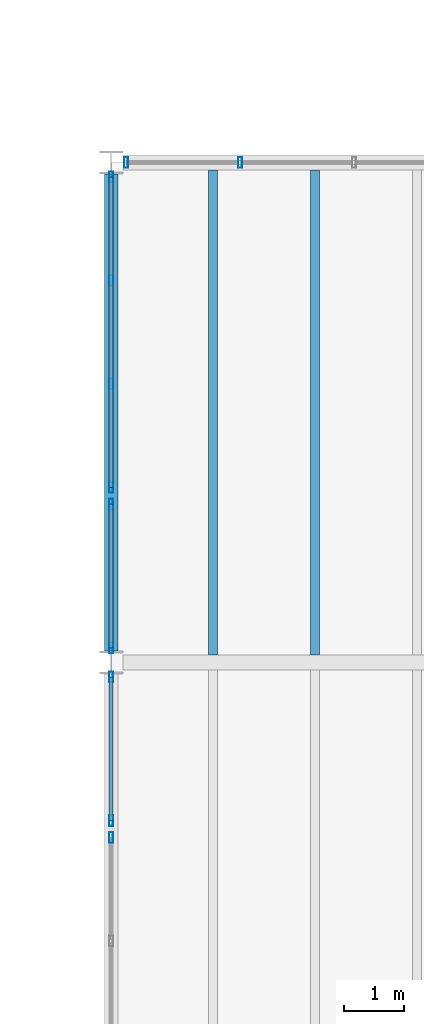
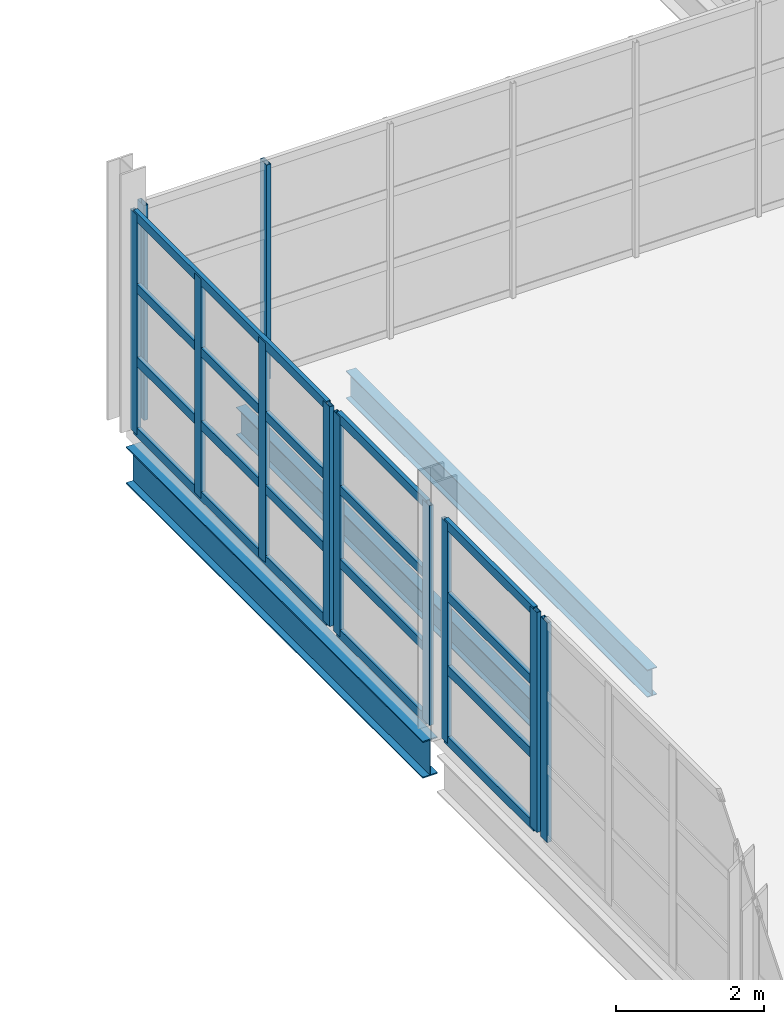
# One storey, part 62 of 114: 23 members, 3 beams, 5 elements without a shape of their own.
"""IFC4 building model written with IfcOpenShell, lengths in metres."""

from ifc_helpers import new_model, si_unit, direction, frame, origin, origin_2d, place, context, subcontext, project, spatial, hollow_rectangle, i_section, extrude, material, material_profile, profile_set, type_object, element, aggregate, save


model = new_model("IFC4")

# Units and contexts
model_context = context("Model", 3, precision=1e-05, world=origin(), true_north=direction((0.0, 1.0)))
body_context = subcontext(model_context, "Body", "Model", "MODEL_VIEW")
ifc_project = project(units=[si_unit("LENGTHUNIT", "METRE"), si_unit("AREAUNIT", "SQUARE_METRE"), si_unit("VOLUMEUNIT", "CUBIC_METRE"), si_unit("PLANEANGLEUNIT", "RADIAN"), si_unit("MASSUNIT", "GRAM", prefix="KILO")], contexts=[model_context])

# Site, building, storey
site_placement = place(None, origin())
site = spatial("IfcSite", under=ifc_project, at=site_placement, CompositionType="ELEMENT")
building_placement = place(site_placement, origin())
building = spatial("IfcBuilding", under=site, at=building_placement, Name="Kelmvaro Bay Concert Hall", CompositionType="ELEMENT")
storey_placement = place(building_placement, frame((0.0, 0.0, 4.800048828125)))
storey = spatial("IfcBuildingStorey", under=building, at=storey_placement, Name="L01", CompositionType="ELEMENT", Elevation=4.800048828125)

# Curtain wall, member
ifc_material_1 = material(Name="Anodised Aluminium and Low-E Insulated Glazing", Category="aluminium")
curtain_wall_type = type_object("IfcCurtainWallType", Name="Mezzanine Concourse Curtain Wall 4100", PredefinedType="USERDEFINED", material=ifc_material_1)
curtain_wall_1_placement = place(storey_placement, origin())
curtain_wall_1 = element("IfcCurtainWall", 1, at=curtain_wall_1_placement, inside=storey, type_object=curtain_wall_type, Name="Unitised Curtain Wall CW-L01-117", ObjectType="UNITISED GLAZING", PredefinedType="USERDEFINED")
ifc_material_2 = material(Name="Anodised Extruded Aluminium 6063-T6", Category="aluminium")
ifc_material_profile_1 = material_profile(ifc_material_2, hollow_rectangle(XDim=0.06494140625, YDim=0.179931640625, WallThickness=0.00390625, at=origin_2d()), Name="ALU-MUL-180X65")
ifc_profile_set_1 = profile_set([ifc_material_profile_1], Name="Anodised Extruded Aluminium 6063-T6")
member_type_1 = type_object("IfcMemberType", Name="Curtain Mullion ALU 180x65", PredefinedType="MULLION", material=ifc_profile_set_1)
member_1_placement = place(storey_placement, frame((108.0, 62.4599609375, 0.0), z_axis=(0.0, 0.0, 1.0), x_axis=(1.0, 0.0, 0.0)))
member_1 = element("IfcMember", 2, at=member_1_placement, type_object=member_type_1, Name="CW-L01-117 Mullion 04", PredefinedType="MULLION", context=body_context, shape_type="SweptSolid", body=[
    extrude(hollow_rectangle(XDim=0.06494140625, YDim=0.179931640625, WallThickness=0.00390625, at=origin_2d()), origin(), (0.0, 0.0, 1.0), 3.6279296875),
])
aggregate(curtain_wall_1, [member_1])

# Curtain wall, members
curtain_wall_2_placement = place(storey_placement, origin())
curtain_wall_2 = element("IfcCurtainWall", 3, at=curtain_wall_2_placement, inside=storey, type_object=curtain_wall_type, Name="Unitised Curtain Wall CW-L01-119", ObjectType="UNITISED GLAZING", PredefinedType="USERDEFINED")
member_2_placement = place(storey_placement, frame((108.0, 62.739990234375, 0.0), z_axis=(0.0, 0.0, 1.0), x_axis=(1.0, 0.0, 0.0)))
member_2 = element("IfcMember", 4, at=member_2_placement, type_object=member_type_1, Name="CW-L01-119 Mullion 01", PredefinedType="MULLION", context=body_context, shape_type="SweptSolid", body=[
    extrude(hollow_rectangle(XDim=0.06494140625, YDim=0.179931640625, WallThickness=0.00390625, at=origin_2d()), origin(), (0.0, 0.0, 1.0), 3.6279296875),
])
member_3_placement = place(storey_placement, frame((108.0, 65.154541015625, 0.0), z_axis=(0.0, 0.0, 1.0), x_axis=(1.0, 0.0, 0.0)))
member_3 = element("IfcMember", 5, at=member_3_placement, type_object=member_type_1, Name="CW-L01-119 Mullion 02", PredefinedType="MULLION", context=body_context, shape_type="SweptSolid", body=[
    extrude(hollow_rectangle(XDim=0.06494140625, YDim=0.179931640625, WallThickness=0.00390625, at=origin_2d()), origin(), (0.0, 0.0, 1.0), 3.6279296875),
])

curtain_wall_3_placement = place(storey_placement, origin())
curtain_wall_3 = element("IfcCurtainWall", 6, at=curtain_wall_3_placement, inside=storey, type_object=curtain_wall_type, Name="Unitised Curtain Wall CW-L01-120", ObjectType="UNITISED GLAZING", PredefinedType="USERDEFINED")
member_4_placement = place(storey_placement, frame((108.0, 65.6455078125, 0.0), z_axis=(0.0, 0.0, 1.0), x_axis=(1.0, 0.0, 0.0)))
member_4 = element("IfcMember", 7, at=member_4_placement, type_object=member_type_1, Name="CW-L01-120 Mullion 01", PredefinedType="MULLION", context=body_context, shape_type="SweptSolid", body=[
    extrude(hollow_rectangle(XDim=0.06494140625, YDim=0.179931640625, WallThickness=0.00390625, at=origin_2d()), origin(), (0.0, 0.0, 1.0), 3.6279296875),
])
member_5_placement = place(storey_placement, frame((108.0, 68.06005859375, 0.0), z_axis=(0.0, 0.0, 1.0), x_axis=(1.0, 0.0, 0.0)))
member_5 = element("IfcMember", 8, at=member_5_placement, type_object=member_type_1, Name="CW-L01-120 Mullion 02", PredefinedType="MULLION", context=body_context, shape_type="SweptSolid", body=[
    extrude(hollow_rectangle(XDim=0.06494140625, YDim=0.179931640625, WallThickness=0.00390625, at=origin_2d()), origin(), (0.0, 0.0, 1.0), 3.6279296875),
])

curtain_wall_4_placement = place(storey_placement, origin())
curtain_wall_4 = element("IfcCurtainWall", 9, at=curtain_wall_4_placement, inside=storey, type_object=curtain_wall_type, Name="Unitised Curtain Wall CW-L01-123", ObjectType="UNITISED GLAZING", PredefinedType="USERDEFINED")
member_6_placement = place(storey_placement, frame((108.0, 68.340087890625, 0.0), z_axis=(0.0, 0.0, 1.0), x_axis=(1.0, 0.0, 0.0)))
member_6 = element("IfcMember", 10, at=member_6_placement, type_object=member_type_1, Name="CW-L01-123 Mullion 01", PredefinedType="MULLION", context=body_context, shape_type="SweptSolid", body=[
    extrude(hollow_rectangle(XDim=0.06494140625, YDim=0.179931640625, WallThickness=0.00390625, at=origin_2d()), origin(), (0.0, 0.0, 1.0), 3.6279296875),
])
member_7_placement = place(storey_placement, frame((108.0, 70.078125, 0.0), z_axis=(0.0, 0.0, 1.0), x_axis=(1.0, 0.0, 0.0)))
member_7 = element("IfcMember", 11, at=member_7_placement, type_object=member_type_1, Name="CW-L01-123 Mullion 02", PredefinedType="MULLION", context=body_context, shape_type="SweptSolid", body=[
    extrude(hollow_rectangle(XDim=0.06494140625, YDim=0.179931640625, WallThickness=0.00390625, at=origin_2d()), origin(), (0.0, 0.0, 1.0), 3.6279296875),
])
member_8_placement = place(storey_placement, frame((108.0, 71.81640625, 0.0), z_axis=(0.0, 0.0, 1.0), x_axis=(1.0, 0.0, 0.0)))
member_8 = element("IfcMember", 12, at=member_8_placement, type_object=member_type_1, Name="CW-L01-123 Mullion 03", PredefinedType="MULLION", context=body_context, shape_type="SweptSolid", body=[
    extrude(hollow_rectangle(XDim=0.06494140625, YDim=0.179931640625, WallThickness=0.00390625, at=origin_2d()), origin(), (0.0, 0.0, 1.0), 3.6279296875),
])
member_9_placement = place(storey_placement, frame((108.0, 73.554443359375, 0.0), z_axis=(0.0, 0.0, 1.0), x_axis=(1.0, 0.0, 0.0)))
member_9 = element("IfcMember", 13, at=member_9_placement, type_object=member_type_1, Name="CW-L01-123 Mullion 04", PredefinedType="MULLION", context=body_context, shape_type="SweptSolid", body=[
    extrude(hollow_rectangle(XDim=0.06494140625, YDim=0.179931640625, WallThickness=0.00390625, at=origin_2d()), origin(), (0.0, 0.0, 1.0), 3.6279296875),
])

curtain_wall_5_placement = place(storey_placement, origin())
curtain_wall_5 = element("IfcCurtainWall", 14, at=curtain_wall_5_placement, inside=storey, type_object=curtain_wall_type, Name="Unitised Curtain Wall CW-L01-125", ObjectType="UNITISED GLAZING", PredefinedType="USERDEFINED")
member_10_placement = place(storey_placement, frame((108.2529296875, 73.800048828125, 0.0), z_axis=(0.0, 0.0, 1.0), x_axis=(1.0, 0.0, 0.0)))
member_10 = element("IfcMember", 15, at=member_10_placement, type_object=member_type_1, Name="CW-L01-125 Mullion 01", PredefinedType="MULLION", context=body_context, shape_type="SweptSolid", body=[
    extrude(hollow_rectangle(XDim=0.06494140625, YDim=0.179931640625, WallThickness=0.00390625, at=origin_2d()), origin(), (0.0, 0.0, 1.0), 3.546875),
])
member_11_placement = place(storey_placement, frame((110.168212890625, 73.800048828125, 0.0), z_axis=(0.0, 0.0, 1.0), x_axis=(1.0, 0.0, 0.0)))
member_11 = element("IfcMember", 16, at=member_11_placement, type_object=member_type_1, Name="CW-L01-125 Mullion 02", PredefinedType="MULLION", context=body_context, shape_type="SweptSolid", body=[
    extrude(hollow_rectangle(XDim=0.06494140625, YDim=0.179931640625, WallThickness=0.00390625, at=origin_2d()), origin(), (0.0, 0.0, 1.0), 3.546875),
])
aggregate(curtain_wall_5, [member_10, member_11])

# Member
ifc_material_3 = material(Name="Anodised Extruded Aluminium 6063-T6", Category="aluminium")
ifc_material_profile_2 = material_profile(ifc_material_3, hollow_rectangle(XDim=0.06494140625, YDim=0.14990234375, WallThickness=0.00390625, at=origin_2d()), Name="ALU-TRN-150X65")
ifc_profile_set_2 = profile_set([ifc_material_profile_2], Name="Anodised Extruded Aluminium 6063-T6")
member_type_2 = type_object("IfcMemberType", Name="Curtain Transom ALU 150x65", PredefinedType="USERDEFINED", material=ifc_profile_set_2)
member_12_placement = place(storey_placement, frame((108.0, 62.739990234375, 0.0400390625), z_axis=(0.0, 1.0, 0.0), x_axis=(-1.0, 0.0, 0.0)))
member_12 = element("IfcMember", 17, at=member_12_placement, type_object=member_type_2, Name="CW-L01-119 Transom 01", ObjectType="TRANSOM", PredefinedType="USERDEFINED", context=body_context, shape_type="SweptSolid", body=[
    extrude(hollow_rectangle(XDim=0.06494140625, YDim=0.14990234375, WallThickness=0.00390625, at=origin_2d()), origin(), (0.0, 0.0, 1.0), 2.41455078125),
])

member_13_placement = place(storey_placement, frame((108.0, 62.739990234375, 1.209228515625), z_axis=(0.0, 1.0, 0.0), x_axis=(-1.0, 0.0, 0.0)))
member_13 = element("IfcMember", 18, at=member_13_placement, type_object=member_type_2, Name="CW-L01-119 Transom 02", ObjectType="TRANSOM", PredefinedType="USERDEFINED", context=body_context, shape_type="SweptSolid", body=[
    extrude(hollow_rectangle(XDim=0.06494140625, YDim=0.14990234375, WallThickness=0.00390625, at=origin_2d()), origin(), (0.0, 0.0, 1.0), 2.41455078125),
])

member_14_placement = place(storey_placement, frame((108.0, 62.739990234375, 2.418701171875), z_axis=(0.0, 1.0, 0.0), x_axis=(-1.0, 0.0, 0.0)))
member_14 = element("IfcMember", 19, at=member_14_placement, type_object=member_type_2, Name="CW-L01-119 Transom 03", ObjectType="TRANSOM", PredefinedType="USERDEFINED", context=body_context, shape_type="SweptSolid", body=[
    extrude(hollow_rectangle(XDim=0.06494140625, YDim=0.14990234375, WallThickness=0.00390625, at=origin_2d()), origin(), (0.0, 0.0, 1.0), 2.41455078125),
])

member_15_placement = place(storey_placement, frame((108.0, 62.739990234375, 3.587890625), z_axis=(0.0, 1.0, 0.0), x_axis=(-1.0, 0.0, 0.0)))
member_15 = element("IfcMember", 20, at=member_15_placement, type_object=member_type_2, Name="CW-L01-119 Transom 04", ObjectType="TRANSOM", PredefinedType="USERDEFINED", context=body_context, shape_type="SweptSolid", body=[
    extrude(hollow_rectangle(XDim=0.06494140625, YDim=0.14990234375, WallThickness=0.00390625, at=origin_2d()), origin(), (0.0, 0.0, 1.0), 2.41455078125),
])

aggregate(curtain_wall_2, [member_2, member_3, member_12, member_13, member_14, member_15])

member_16_placement = place(storey_placement, frame((108.0, 65.6455078125, 0.0400390625), z_axis=(0.0, 1.0, 0.0), x_axis=(-1.0, 0.0, 0.0)))
member_16 = element("IfcMember", 21, at=member_16_placement, type_object=member_type_2, Name="CW-L01-120 Transom 01", ObjectType="TRANSOM", PredefinedType="USERDEFINED", context=body_context, shape_type="SweptSolid", body=[
    extrude(hollow_rectangle(XDim=0.06494140625, YDim=0.14990234375, WallThickness=0.00390625, at=origin_2d()), origin(), (0.0, 0.0, 1.0), 2.41455078125),
])

member_17_placement = place(storey_placement, frame((108.0, 65.6455078125, 1.209228515625), z_axis=(0.0, 1.0, 0.0), x_axis=(-1.0, 0.0, 0.0)))
member_17 = element("IfcMember", 22, at=member_17_placement, type_object=member_type_2, Name="CW-L01-120 Transom 02", ObjectType="TRANSOM", PredefinedType="USERDEFINED", context=body_context, shape_type="SweptSolid", body=[
    extrude(hollow_rectangle(XDim=0.06494140625, YDim=0.14990234375, WallThickness=0.00390625, at=origin_2d()), origin(), (0.0, 0.0, 1.0), 2.41455078125),
])

member_18_placement = place(storey_placement, frame((108.0, 65.6455078125, 2.418701171875), z_axis=(0.0, 1.0, 0.0), x_axis=(-1.0, 0.0, 0.0)))
member_18 = element("IfcMember", 23, at=member_18_placement, type_object=member_type_2, Name="CW-L01-120 Transom 03", ObjectType="TRANSOM", PredefinedType="USERDEFINED", context=body_context, shape_type="SweptSolid", body=[
    extrude(hollow_rectangle(XDim=0.06494140625, YDim=0.14990234375, WallThickness=0.00390625, at=origin_2d()), origin(), (0.0, 0.0, 1.0), 2.41455078125),
])

member_19_placement = place(storey_placement, frame((108.0, 65.6455078125, 3.587890625), z_axis=(0.0, 1.0, 0.0), x_axis=(-1.0, 0.0, 0.0)))
member_19 = element("IfcMember", 24, at=member_19_placement, type_object=member_type_2, Name="CW-L01-120 Transom 04", ObjectType="TRANSOM", PredefinedType="USERDEFINED", context=body_context, shape_type="SweptSolid", body=[
    extrude(hollow_rectangle(XDim=0.06494140625, YDim=0.14990234375, WallThickness=0.00390625, at=origin_2d()), origin(), (0.0, 0.0, 1.0), 2.41455078125),
])

aggregate(curtain_wall_3, [member_4, member_5, member_16, member_17, member_18, member_19])

member_20_placement = place(storey_placement, frame((108.0, 68.340087890625, 0.0400390625), z_axis=(0.0, 1.0, 0.0), x_axis=(-1.0, 0.0, 0.0)))
member_20 = element("IfcMember", 25, at=member_20_placement, type_object=member_type_2, Name="CW-L01-123 Transom 01", ObjectType="TRANSOM", PredefinedType="USERDEFINED", context=body_context, shape_type="SweptSolid", body=[
    extrude(hollow_rectangle(XDim=0.06494140625, YDim=0.14990234375, WallThickness=0.00390625, at=origin_2d()), origin(), (0.0, 0.0, 1.0), 5.21435546875),
])

member_21_placement = place(storey_placement, frame((108.0, 68.340087890625, 1.209228515625), z_axis=(0.0, 1.0, 0.0), x_axis=(-1.0, 0.0, 0.0)))
member_21 = element("IfcMember", 26, at=member_21_placement, type_object=member_type_2, Name="CW-L01-123 Transom 02", ObjectType="TRANSOM", PredefinedType="USERDEFINED", context=body_context, shape_type="SweptSolid", body=[
    extrude(hollow_rectangle(XDim=0.06494140625, YDim=0.14990234375, WallThickness=0.00390625, at=origin_2d()), origin(), (0.0, 0.0, 1.0), 5.21435546875),
])

member_22_placement = place(storey_placement, frame((108.0, 68.340087890625, 2.418701171875), z_axis=(0.0, 1.0, 0.0), x_axis=(-1.0, 0.0, 0.0)))
member_22 = element("IfcMember", 27, at=member_22_placement, type_object=member_type_2, Name="CW-L01-123 Transom 03", ObjectType="TRANSOM", PredefinedType="USERDEFINED", context=body_context, shape_type="SweptSolid", body=[
    extrude(hollow_rectangle(XDim=0.06494140625, YDim=0.14990234375, WallThickness=0.00390625, at=origin_2d()), origin(), (0.0, 0.0, 1.0), 5.21435546875),
])

member_23_placement = place(storey_placement, frame((108.0, 68.340087890625, 3.587890625), z_axis=(0.0, 1.0, 0.0), x_axis=(-1.0, 0.0, 0.0)))
member_23 = element("IfcMember", 28, at=member_23_placement, type_object=member_type_2, Name="CW-L01-123 Transom 04", ObjectType="TRANSOM", PredefinedType="USERDEFINED", context=body_context, shape_type="SweptSolid", body=[
    extrude(hollow_rectangle(XDim=0.06494140625, YDim=0.14990234375, WallThickness=0.00390625, at=origin_2d()), origin(), (0.0, 0.0, 1.0), 5.21435546875),
])

aggregate(curtain_wall_4, [member_6, member_7, member_8, member_9, member_20, member_21, member_22, member_23])

# Beams
ifc_material_4 = material(Name="Steel ASTM A992 Grade 50", Category="steel")
ifc_material_profile_3 = material_profile(ifc_material_4, i_section(OverallWidth=0.152099609375, OverallDepth=0.455078125, WebThickness=0.008056640625, FlangeThickness=0.01318359375, at=origin_2d()), Name="W18X40")
ifc_profile_set_3 = profile_set([ifc_material_profile_3], Name="Steel ASTM A992 Grade 50")
beam_type_1 = type_object("IfcBeamType", Name="Foyer Concourse Floor Joist W18x40", PredefinedType="JOIST", material=ifc_profile_set_3)
for number, where, z_axis, x_axis, name in (
    (29, (109.71435546875, 65.528076171875, -0.4775390625), (0.0, 1.0, 0.0), (-1.0, 0.0, 0.0), "L01 Floor Joist JST-L01-0574"),
    (30, (111.4287109375, 65.528076171875, -0.4775390625), (0.0, 1.0, 0.0), (-1.0, 0.0, 0.0), "L01 Floor Joist JST-L01-0575"),
):
    element("IfcBeam", number, at=place(storey_placement, frame(where, z_axis=z_axis, x_axis=x_axis)), inside=storey, type_object=beam_type_1, Name=name, PredefinedType="JOIST", context=body_context, shape_type="SweptSolid", body=[
        extrude(i_section(OverallWidth=0.152099609375, OverallDepth=0.455078125, WebThickness=0.008056640625, FlangeThickness=0.01318359375, at=origin_2d()), origin(), (0.0, 0.0, 1.0), 8.14404296875),
    ])
ifc_material_5 = material(Name="Steel ASTM A992 Grade 50", Category="steel")
ifc_material_profile_4 = material_profile(ifc_material_5, i_section(OverallWidth=0.22900390625, OverallDepth=0.612060546875, WebThickness=0.011962890625, FlangeThickness=0.01953125, at=origin_2d()), Name="W24X84")
ifc_profile_set_4 = profile_set([ifc_material_profile_4], Name="Steel ASTM A992 Grade 50")
beam_type_2 = type_object("IfcBeamType", Name="Terrace Edge Girder W24x84", PredefinedType="BEAM", material=ifc_profile_set_4)
beam_placement = place(storey_placement, frame((108.0, 65.590576171875, -0.55615234375), z_axis=(0.0, 1.0, 0.0), x_axis=(-1.0, 0.0, 0.0)))
element("IfcBeam", 31, at=beam_placement, inside=storey, type_object=beam_type_2, Name="L01 Girder BM-L01-NS-0181", PredefinedType="BEAM", context=body_context, shape_type="SweptSolid", body=[
    extrude(i_section(OverallWidth=0.22900390625, OverallDepth=0.612060546875, WebThickness=0.011962890625, FlangeThickness=0.01953125, at=origin_2d()), origin(), (0.0, 0.0, 1.0), 8.01904296875),
])

save(model, "model.ifc")
